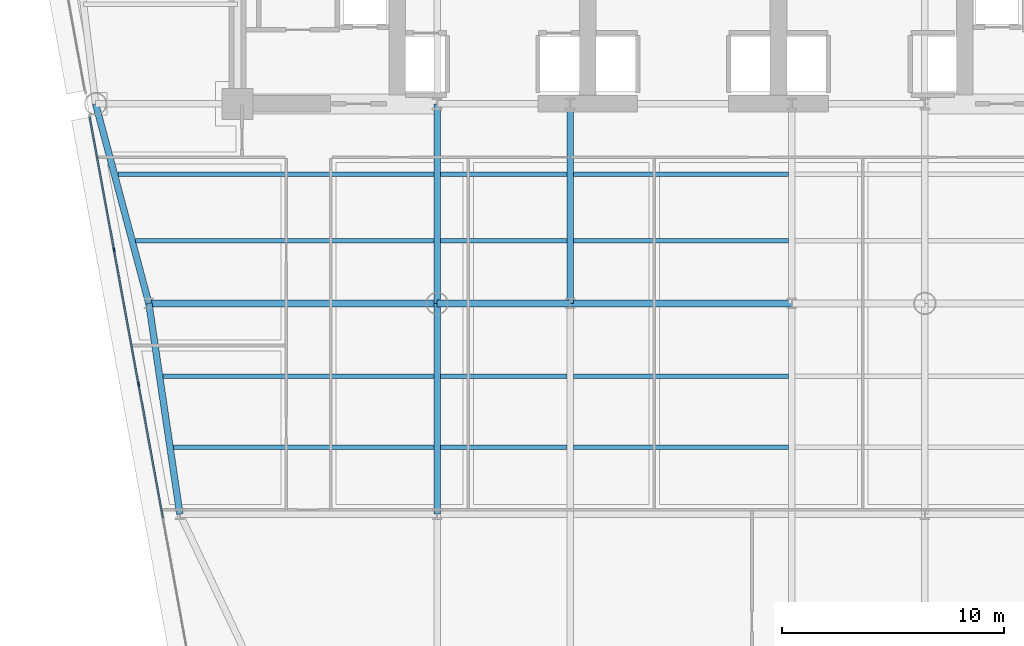
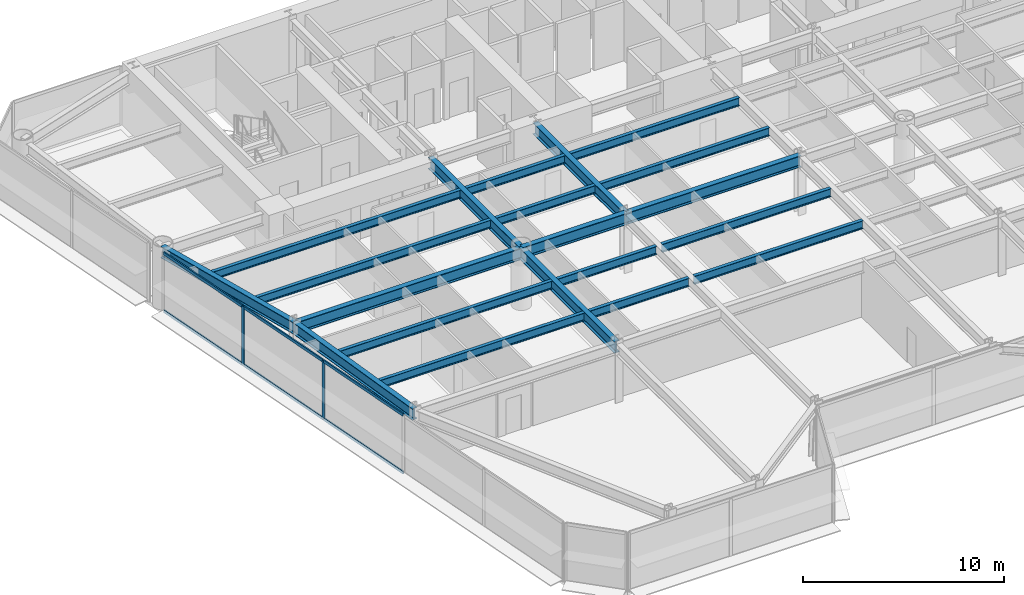
# One storey, part 3 of 14: 20 beams, 8 members, 1 element without a shape of its own.
"""IFC4 building model written with IfcOpenShell, lengths in metres."""

from ifc_helpers import new_model, si_unit, direction, frame, origin, origin_2d, place, context, subcontext, project, spatial, rectangle, i_section, extrude, source, transform, mapped, material, layer, layer_set, material_profile, profile_set, type_object, element, aggregate, save


model = new_model("IFC4")

# Units and contexts
model_context = context("Model", 3, precision=1e-05, world=origin(), true_north=direction((0.0, 1.0)))
body_context = subcontext(model_context, "Body", "Model", "MODEL_VIEW")
ifc_project = project(units=[si_unit("LENGTHUNIT", "METRE"), si_unit("AREAUNIT", "SQUARE_METRE"), si_unit("VOLUMEUNIT", "CUBIC_METRE"), si_unit("PLANEANGLEUNIT", "RADIAN"), si_unit("MASSUNIT", "GRAM", prefix="KILO")], contexts=[model_context])

# Site, building, storey
site_placement = place(None, origin())
site = spatial("IfcSite", under=ifc_project, at=site_placement, CompositionType="ELEMENT")
building_placement = place(site_placement, origin())
building = spatial("IfcBuilding", under=site, at=building_placement, Name="Vaeldorn Concourse Tower", CompositionType="ELEMENT")
storey_placement = place(building_placement, frame((0.0, 0.0, 92.0)))
storey = spatial("IfcBuildingStorey", under=building, at=storey_placement, Name="L23", CompositionType="ELEMENT", Elevation=92.0)

# Beams
ifc_material_1 = material(Name="Steel S355", Category="steel")
ifc_material_profile_1 = material_profile(ifc_material_1, i_section(OverallWidth=0.199951171875, OverallDepth=0.5, WebThickness=0.01025390625, FlangeThickness=0.01611328125, FilletRadius=0.02099609375, at=origin_2d()), Name="IPE 500")
ifc_profile_set_1 = profile_set([ifc_material_profile_1], Name="Steel S355")
beam_type_1 = type_object("IfcBeamType", Name="BM-JS-IPE500", PredefinedType="JOIST", material=ifc_profile_set_1)
shared_shape_1 = source(origin(), body_context, "Body", "SweptSolid", [
    extrude(i_section(OverallWidth=0.199951171875, OverallDepth=0.5, WebThickness=0.01025390625, FlangeThickness=0.01611328125, FilletRadius=0.02099609375, at=origin_2d()), origin(), (0.0, 0.0, 1.0), 5.7001953125),
])
for number, where, z_axis, x_axis, name in (
    (1, (23.14990234375, 21.02001953125, 3.330078125), (1.0, 0.0, 0.0), (0.0, 1.0, 0.0), "Beam JS-L23-W2-210"),
    (2, (23.14990234375, 24.219970703125, 3.330078125), (1.0, 0.0, 0.0), (0.0, 1.0, 0.0), "Beam JS-L23-W2-242"),
    (3, (23.14990234375, 30.320068359375, 3.330078125), (1.0, 0.0, 0.0), (0.0, 1.0, 0.0), "Beam JS-L23-W2-303"),
    (4, (23.14990234375, 33.320068359375, 3.330078125), (1.0, 0.0, 0.0), (0.0, 1.0, 0.0), "Beam JS-L23-W2-333"),
):
    element("IfcBeam", number, at=place(storey_placement, frame(where, z_axis=z_axis, x_axis=x_axis)), inside=storey, type_object=beam_type_1, Name=name, PredefinedType="JOIST", context=body_context, shape_type="MappedRepresentation", body=[
        mapped(shared_shape_1, transform((0.0, 0.0, 0.0), scale=1.0)),
    ])
shared_shape_2 = source(origin(), body_context, "Body", "SweptSolid", [
    extrude(i_section(OverallWidth=0.199951171875, OverallDepth=0.5, WebThickness=0.01025390625, FlangeThickness=0.01611328125, FilletRadius=0.02099609375, at=origin_2d()), origin(), (0.0, 0.0, 1.0), 9.7001953125),
])
for number, where, z_axis, x_axis, name in (
    (5, (29.14990234375, 21.02001953125, 3.330078125), (1.0, 0.0, 0.0), (0.0, 1.0, 0.0), "Beam JS-L23-C-210"),
    (6, (29.14990234375, 24.219970703125, 3.330078125), (1.0, 0.0, 0.0), (0.0, 1.0, 0.0), "Beam JS-L23-C-242"),
    (7, (29.14990234375, 30.320068359375, 3.330078125), (1.0, 0.0, 0.0), (0.0, 1.0, 0.0), "Beam JS-L23-C-303"),
    (8, (29.14990234375, 33.320068359375, 3.330078125), (1.0, 0.0, 0.0), (0.0, 1.0, 0.0), "Beam JS-L23-C-333"),
):
    element("IfcBeam", number, at=place(storey_placement, frame(where, z_axis=z_axis, x_axis=x_axis)), inside=storey, type_object=beam_type_1, Name=name, PredefinedType="JOIST", context=body_context, shape_type="MappedRepresentation", body=[
        mapped(shared_shape_2, transform((0.0, 0.0, 0.0), scale=1.0)),
    ])
shared_shape_3 = source(origin(), body_context, "Body", "SweptSolid", [
    extrude(i_section(OverallWidth=0.199951171875, OverallDepth=0.5, WebThickness=0.01025390625, FlangeThickness=0.01611328125, FilletRadius=0.02099609375, at=origin_2d()), origin(), (0.0, 0.0, 1.0), 11.7451171875),
])
beam_1_placement = place(storey_placement, frame((11.10498046875, 21.02001953125, 3.330078125), z_axis=(1.0, 0.0, 0.0), x_axis=(0.0, 1.0, 0.0)))
element("IfcBeam", 9, at=beam_1_placement, inside=storey, type_object=beam_type_1, Name="Beam JS-L23-W1-210", PredefinedType="JOIST", context=body_context, shape_type="MappedRepresentation", body=[
    mapped(shared_shape_3, transform((0.0, 0.0, 0.0), scale=1.0)),
])
shared_shape_4 = source(origin(), body_context, "Body", "SweptSolid", [
    extrude(i_section(OverallWidth=0.199951171875, OverallDepth=0.5, WebThickness=0.01025390625, FlangeThickness=0.01611328125, FilletRadius=0.02099609375, at=origin_2d()), origin(), (0.0, 0.0, 1.0), 12.216796875),
])
beam_2_placement = place(storey_placement, frame((10.63330078125, 24.219970703125, 3.330078125), z_axis=(1.0, 0.0, 0.0), x_axis=(0.0, 1.0, 0.0)))
element("IfcBeam", 10, at=beam_2_placement, inside=storey, type_object=beam_type_1, Name="Beam JS-L23-W1-242", PredefinedType="JOIST", context=body_context, shape_type="MappedRepresentation", body=[
    mapped(shared_shape_4, transform((0.0, 0.0, 0.0), scale=1.0)),
])
shared_shape_5 = source(origin(), body_context, "Body", "SweptSolid", [
    extrude(i_section(OverallWidth=0.199951171875, OverallDepth=0.5, WebThickness=0.01025390625, FlangeThickness=0.01611328125, FilletRadius=0.02099609375, at=origin_2d()), origin(), (0.0, 0.0, 1.0), 13.4521484375),
])
beam_3_placement = place(storey_placement, frame((9.39794921875, 30.320068359375, 3.330078125), z_axis=(1.0, 0.0, 0.0), x_axis=(0.0, 1.0, 0.0)))
element("IfcBeam", 11, at=beam_3_placement, inside=storey, type_object=beam_type_1, Name="Beam JS-L23-W1-303", PredefinedType="JOIST", context=body_context, shape_type="MappedRepresentation", body=[
    mapped(shared_shape_5, transform((0.0, 0.0, 0.0), scale=1.0)),
])
shared_shape_6 = source(origin(), body_context, "Body", "SweptSolid", [
    extrude(i_section(OverallWidth=0.199951171875, OverallDepth=0.5, WebThickness=0.01025390625, FlangeThickness=0.01611328125, FilletRadius=0.02099609375, at=origin_2d()), origin(), (0.0, 0.0, 1.0), 14.252197265625),
])
beam_4_placement = place(storey_placement, frame((8.597900390625, 33.320068359375, 3.330078125), z_axis=(1.0, 0.0, 0.0), x_axis=(0.0, 1.0, 0.0)))
element("IfcBeam", 12, at=beam_4_placement, inside=storey, type_object=beam_type_1, Name="Beam JS-L23-W1-333", PredefinedType="JOIST", context=body_context, shape_type="MappedRepresentation", body=[
    mapped(shared_shape_6, transform((0.0, 0.0, 0.0), scale=1.0)),
])
ifc_material_profile_2 = material_profile(ifc_material_1, i_section(OverallWidth=0.300048828125, OverallDepth=0.699951171875, WebThickness=0.01708984375, FlangeThickness=0.031982421875, FilletRadius=0.027099609375, at=origin_2d()), Name="HEB 700")
ifc_profile_set_2 = profile_set([ifc_material_profile_2], Name="Steel S355")
beam_type_2 = type_object("IfcBeamType", Name="BM-PG-HEB700", PredefinedType="BEAM", material=ifc_profile_set_2)
shared_shape_7 = source(origin(), body_context, "Body", "SweptSolid", [
    extrude(i_section(OverallWidth=0.300048828125, OverallDepth=0.699951171875, WebThickness=0.01708984375, FlangeThickness=0.031982421875, FilletRadius=0.027099609375, at=origin_2d()), origin(), (0.0, 0.0, 1.0), 6.0),
])
beam_5_placement = place(storey_placement, frame((23.0, 27.5, 3.22998046875), z_axis=(1.0, 0.0, 0.0), x_axis=(0.0, 1.0, 0.0)))
element("IfcBeam", 13, at=beam_5_placement, inside=storey, type_object=beam_type_2, Name="Beam BM-L23-C-TW1-C-TW2", PredefinedType="BEAM", context=body_context, shape_type="MappedRepresentation", body=[
    mapped(shared_shape_7, transform((0.0, 0.0, 0.0), scale=1.0)),
])
shared_shape_8 = source(origin(), body_context, "Body", "SweptSolid", [
    extrude(i_section(OverallWidth=0.300048828125, OverallDepth=0.699951171875, WebThickness=0.01708984375, FlangeThickness=0.031982421875, FilletRadius=0.027099609375, at=origin_2d()), origin(), (0.0, 0.0, 1.0), 10.0),
])
beam_6_placement = place(storey_placement, frame((29.0, 27.5, 3.22998046875), z_axis=(1.0, 0.0, 0.0), x_axis=(0.0, 1.0, 0.0)))
element("IfcBeam", 14, at=beam_6_placement, inside=storey, type_object=beam_type_2, Name="Beam BM-L23-C-TW2-C-TW3", PredefinedType="BEAM", context=body_context, shape_type="MappedRepresentation", body=[
    mapped(shared_shape_8, transform((0.0, 0.0, 0.0), scale=1.0)),
])
shared_shape_9 = source(origin(), body_context, "Body", "SweptSolid", [
    extrude(i_section(OverallWidth=0.300048828125, OverallDepth=0.699951171875, WebThickness=0.01708984375, FlangeThickness=0.031982421875, FilletRadius=0.027099609375, at=origin_2d()), origin(), (0.0, 0.0, 1.0), 9.0),
])
for number, where, z_axis, x_axis, name in (
    (15, (23.0, 27.5, 3.22998046875), (0.0, 1.0, 0.0), (-1.0, 0.0, 0.0), "Beam BM-L23-C-TW1-C-FC2"),
    (16, (29.0, 27.5, 3.22998046875), (0.0, 1.0, 0.0), (-1.0, 0.0, 0.0), "Beam BM-L23-C-TW2-C-FC3"),
):
    element("IfcBeam", number, at=place(storey_placement, frame(where, z_axis=z_axis, x_axis=x_axis)), inside=storey, type_object=beam_type_2, Name=name, PredefinedType="BEAM", context=body_context, shape_type="MappedRepresentation", body=[
        mapped(shared_shape_9, transform((0.0, 0.0, 0.0), scale=1.0)),
    ])
shared_shape_10 = source(origin(), body_context, "Body", "SweptSolid", [
    extrude(i_section(OverallWidth=0.300048828125, OverallDepth=0.699951171875, WebThickness=0.01708984375, FlangeThickness=0.031982421875, FilletRadius=0.027099609375, at=origin_2d()), origin(), (0.0, 0.0, 1.0), 9.314453125),
])
beam_7_placement = place(storey_placement, frame((7.60009765625, 36.5, 3.22998046875), z_axis=(0.257652862255, -0.966237549763, 0.0), x_axis=(0.966237549763, 0.257652862255, 0.0)))
element("IfcBeam", 17, at=beam_7_placement, inside=storey, type_object=beam_type_2, Name="Beam BM-L23-C-NW2-C-FLW1", PredefinedType="BEAM", context=body_context, shape_type="MappedRepresentation", body=[
    mapped(shared_shape_10, transform((0.0, 0.0, 0.0), scale=1.0)),
])
shared_shape_11 = source(origin(), body_context, "Body", "SweptSolid", [
    extrude(i_section(OverallWidth=0.300048828125, OverallDepth=0.699951171875, WebThickness=0.01708984375, FlangeThickness=0.031982421875, FilletRadius=0.027099609375, at=origin_2d()), origin(), (0.0, 0.0, 1.0), 13.0),
])
beam_8_placement = place(storey_placement, frame((10.0, 27.5, 3.22998046875), z_axis=(1.0, 0.0, 0.0), x_axis=(0.0, 1.0, 0.0)))
element("IfcBeam", 18, at=beam_8_placement, inside=storey, type_object=beam_type_2, Name="Beam BM-L23-C-FLW1-C-TW1", PredefinedType="BEAM", context=body_context, shape_type="MappedRepresentation", body=[
    mapped(shared_shape_11, transform((0.0, 0.0, 0.0), scale=1.0)),
])
shared_shape_12 = source(origin(), body_context, "Body", "SweptSolid", [
    extrude(i_section(OverallWidth=0.300048828125, OverallDepth=0.699951171875, WebThickness=0.01708984375, FlangeThickness=0.031982421875, FilletRadius=0.027099609375, at=origin_2d()), origin(), (0.0, 0.0, 1.0), 9.6025390625),
])
beam_9_placement = place(storey_placement, frame((10.0, 27.5, 3.22998046875), z_axis=(0.145783835977, -0.989316467652, 0.0), x_axis=(0.989316467652, 0.145783835977, 0.0)))
element("IfcBeam", 19, at=beam_9_placement, inside=storey, type_object=beam_type_2, Name="Beam BM-L23-C-FLW1-C-FLW2", PredefinedType="BEAM", context=body_context, shape_type="MappedRepresentation", body=[
    mapped(shared_shape_12, transform((0.0, 0.0, 0.0), scale=1.0)),
])
shared_shape_13 = source(origin(), body_context, "Body", "SweptSolid", [
    extrude(i_section(OverallWidth=0.300048828125, OverallDepth=0.699951171875, WebThickness=0.01708984375, FlangeThickness=0.031982421875, FilletRadius=0.027099609375, at=origin_2d()), origin(), (0.0, 0.0, 1.0), 9.5),
])
beam_10_placement = place(storey_placement, frame((23.0, 18.0, 3.22998046875), z_axis=(0.0, 1.0, 0.0), x_axis=(-1.0, 0.0, 0.0)))
element("IfcBeam", 20, at=beam_10_placement, inside=storey, type_object=beam_type_2, Name="Beam BM-L23-C-TW5-C-TW1", PredefinedType="BEAM", context=body_context, shape_type="MappedRepresentation", body=[
    mapped(shared_shape_13, transform((0.0, 0.0, 0.0), scale=1.0)),
])

# Curtain wall, members
ifc_material_2 = material(Name="Anodised Bronze Aluminium", Category="aluminium")
ifc_layer = layer(ifc_material_2, 0.199951171875)
ifc_layer_set = layer_set([ifc_layer], Name="Anodised Bronze Aluminium")
curtain_wall_type = type_object("IfcCurtainWallType", Name="CW-SYS-02", PredefinedType="NOTDEFINED", material=ifc_layer_set)
curtain_wall_placement = place(storey_placement, origin())
curtain_wall = element("IfcCurtainWall", 21, at=curtain_wall_placement, inside=storey, type_object=curtain_wall_type, Name="Unitised Curtain Wall CW-L23-E11-2", PredefinedType="NOTDEFINED")
ifc_material_profile_3 = material_profile(ifc_material_2, rectangle(XDim=0.074951171875, YDim=0.18994140625, at=origin_2d()), Name="CWM 75x190")
ifc_profile_set_3 = profile_set([ifc_material_profile_3], Name="Anodised Bronze Aluminium")
member_type_1 = type_object("IfcMemberType", Name="CWM-BRONZE-190", PredefinedType="MULLION", material=ifc_profile_set_3)
shared_shape_14 = source(origin(), body_context, "Body", "SweptSolid", [
    extrude(rectangle(XDim=0.074951171875, YDim=0.18994140625, at=origin_2d()), origin(), (0.0, 0.0, 1.0), 3.580078125),
])
member_1_placement = place(storey_placement, frame((8.4306640625, 29.9150390625, 0.0), z_axis=(0.0, 0.0, 1.0), x_axis=(0.983729411039, 0.179656466224, 0.0)))
member_1 = element("IfcMember", 22, at=member_1_placement, type_object=member_type_1, Name="CW-02 mullion 2", PredefinedType="MULLION", context=body_context, shape_type="MappedRepresentation", body=[
    mapped(shared_shape_14, transform((0.0, 0.0, 0.0), scale=1.0)),
])
member_2_placement = place(storey_placement, frame((9.538818359375, 23.84814453125, 0.0), z_axis=(0.0, 0.0, 1.0), x_axis=(0.983729411039, 0.179656466224, 0.0)))
member_2 = element("IfcMember", 23, at=member_2_placement, type_object=member_type_1, Name="CW-02 mullion 3", PredefinedType="MULLION", context=body_context, shape_type="MappedRepresentation", body=[
    mapped(shared_shape_14, transform((0.0, 0.0, 0.0), scale=1.0)),
])
ifc_material_profile_4 = material_profile(ifc_material_2, rectangle(XDim=0.074951171875, YDim=0.179931640625, at=origin_2d()), Name="CWT 75x180")
ifc_profile_set_4 = profile_set([ifc_material_profile_4], Name="Anodised Bronze Aluminium")
member_type_2 = type_object("IfcMemberType", Name="CWT-BRONZE-180", PredefinedType="USERDEFINED", material=ifc_profile_set_4)
shared_shape_15 = source(origin(), body_context, "Body", "SweptSolid", [
    extrude(rectangle(XDim=0.074951171875, YDim=0.179931640625, at=origin_2d()), origin(), (0.0, 0.0, 1.0), 6.09228515625),
])
member_3_placement = place(storey_placement, frame((8.4375, 29.878173828125, 0.03759765625), z_axis=(0.179650632468, -0.983730476428, 0.0), x_axis=(0.983730476428, 0.179650632468, 0.0)))
member_3 = element("IfcMember", 24, at=member_3_placement, type_object=member_type_2, Name="CW-02 transom 2.1", ObjectType="TRANSOM", PredefinedType="USERDEFINED", context=body_context, shape_type="MappedRepresentation", body=[
    mapped(shared_shape_15, transform((0.0, 0.0, 0.0), scale=1.0)),
])
member_4_placement = place(storey_placement, frame((8.4375, 29.878173828125, 3.54248046875), z_axis=(0.179650632468, -0.983730476428, 0.0), x_axis=(0.983730476428, 0.179650632468, 0.0)))
member_4 = element("IfcMember", 25, at=member_4_placement, type_object=member_type_2, Name="CW-02 transom 2.2", ObjectType="TRANSOM", PredefinedType="USERDEFINED", context=body_context, shape_type="MappedRepresentation", body=[
    mapped(shared_shape_15, transform((0.0, 0.0, 0.0), scale=1.0)),
])
member_5_placement = place(storey_placement, frame((9.54541015625, 23.81103515625, 0.03759765625), z_axis=(0.179650632468, -0.983730476428, 0.0), x_axis=(0.983730476428, 0.179650632468, 0.0)))
member_5 = element("IfcMember", 26, at=member_5_placement, type_object=member_type_2, Name="CW-02 transom 3.1", ObjectType="TRANSOM", PredefinedType="USERDEFINED", context=body_context, shape_type="MappedRepresentation", body=[
    mapped(shared_shape_15, transform((0.0, 0.0, 0.0), scale=1.0)),
])
member_6_placement = place(storey_placement, frame((9.54541015625, 23.81103515625, 3.54248046875), z_axis=(0.179650632468, -0.983730476428, 0.0), x_axis=(0.983730476428, 0.179650632468, 0.0)))
member_6 = element("IfcMember", 27, at=member_6_placement, type_object=member_type_2, Name="CW-02 transom 3.2", ObjectType="TRANSOM", PredefinedType="USERDEFINED", context=body_context, shape_type="MappedRepresentation", body=[
    mapped(shared_shape_15, transform((0.0, 0.0, 0.0), scale=1.0)),
])
shared_shape_16 = source(origin(), body_context, "Body", "SweptSolid", [
    extrude(rectangle(XDim=0.074951171875, YDim=0.179931640625, at=origin_2d()), origin(), (0.0, 0.0, 1.0), 6.054931640625),
])
member_7_placement = place(storey_placement, frame((7.336181640625, 35.908203125, 0.03759765625), z_axis=(0.179673103881, -0.983726372393, 0.0), x_axis=(0.983726372393, 0.179673103881, 0.0)))
member_7 = element("IfcMember", 28, at=member_7_placement, type_object=member_type_2, Name="CW-02 transom 1.1", ObjectType="TRANSOM", PredefinedType="USERDEFINED", context=body_context, shape_type="MappedRepresentation", body=[
    mapped(shared_shape_16, transform((0.0, 0.0, 0.0), scale=1.0)),
])
member_8_placement = place(storey_placement, frame((7.336181640625, 35.908203125, 3.54248046875), z_axis=(0.179673103881, -0.983726372393, 0.0), x_axis=(0.983726372393, 0.179673103881, 0.0)))
member_8 = element("IfcMember", 29, at=member_8_placement, type_object=member_type_2, Name="CW-02 transom 1.2", ObjectType="TRANSOM", PredefinedType="USERDEFINED", context=body_context, shape_type="MappedRepresentation", body=[
    mapped(shared_shape_16, transform((0.0, 0.0, 0.0), scale=1.0)),
])
aggregate(curtain_wall, [member_1, member_2, member_7, member_8, member_3, member_4, member_5, member_6])

save(model, "model.ifc")
